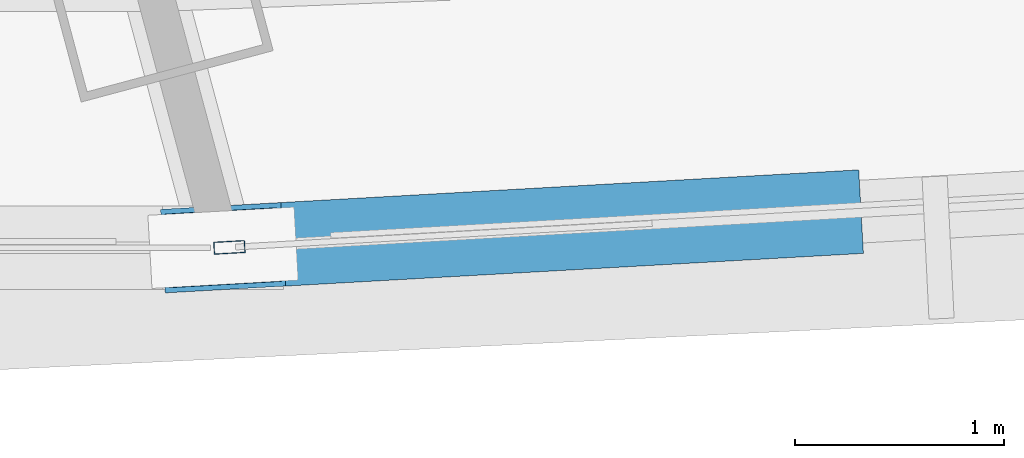
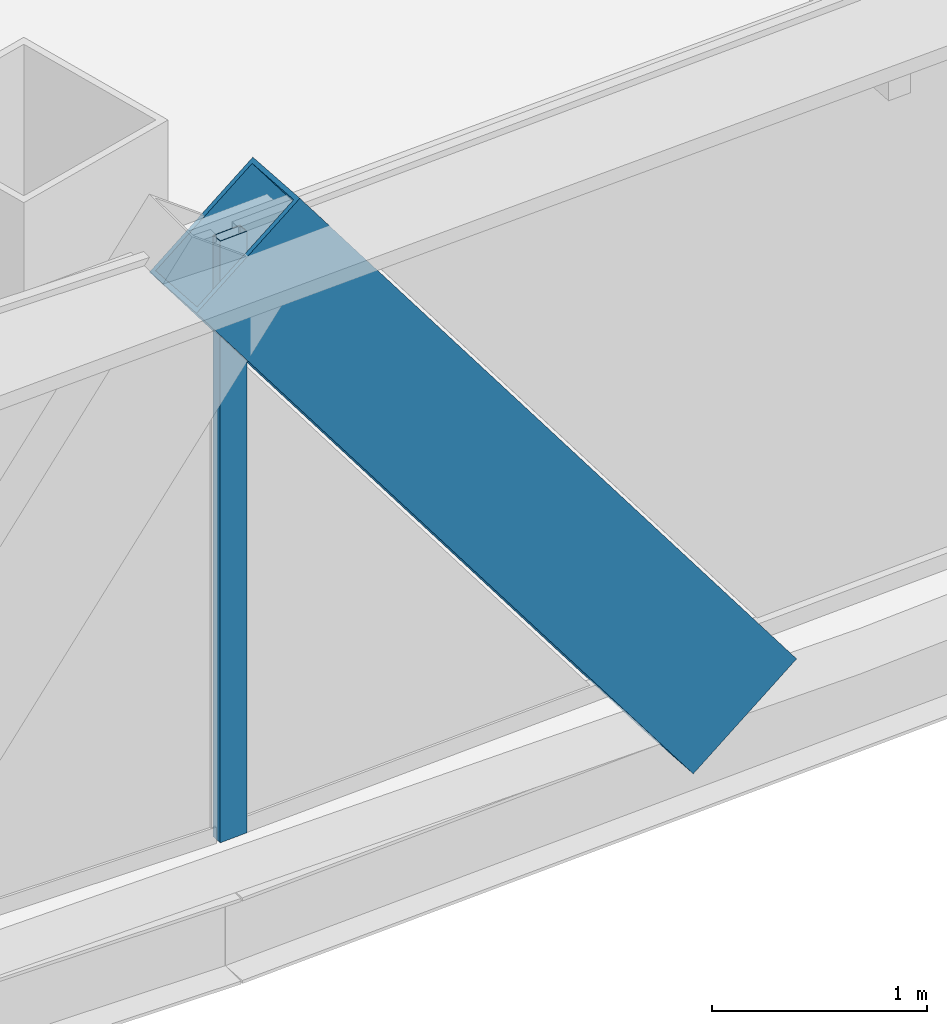
# One storey, part 12 of 41: 2 members, 1 element without a shape of its own.
"""IFC4 building model written with IfcOpenShell, lengths in metres."""

import ifcopenshell
import ifcopenshell.guid

model = None  # the IFC model being written
_history = None  # IfcOwnerHistory: only IFC2X3 demands one
_inside = {}  # id of a spatial element -> (the spatial element, [elements in it])
_under = {}  # id of a project, library or spatial element -> (it, [spatial elements below it])
_declared = {}  # id of a project -> (the project, [libraries it declares])
_typed = {}  # id of a type object -> (the type object, [elements of that type])
_made_of = {}  # id of a material, layer set ... -> (it, [elements and type objects made of it])


def new_model(schema):
    """Start an empty IFC model of exactly this schema.

    Asked for "IFC4X3", IfcOpenShell would pick the latest addendum, in which some entities
    have other attributes; the version numbers below select the first issue.
    IFC2X3 requires an IfcOwnerHistory on every rooted entity: one is made here for all.
    """
    global model, _history
    if schema == "IFC4X3":
        model = ifcopenshell.file(schema_version=(4, 3, 0, 0))
    else:
        model = ifcopenshell.file(schema=schema)
    _inside.clear()
    _under.clear()
    _declared.clear()
    _typed.clear()
    _made_of.clear()
    _history = None
    if model.schema == "IFC2X3":
        org = make("IfcOrganization", Name="unknown")
        user = make(
            "IfcPersonAndOrganization",
            ThePerson=make("IfcPerson", FamilyName="unknown"),
            TheOrganization=org,
        )
        app = make(
            "IfcApplication",
            ApplicationDeveloper=org,
            Version="unknown",
            ApplicationFullName="unknown",
            ApplicationIdentifier="unknown",
        )
        _history = make(
            "IfcOwnerHistory",
            OwningUser=user,
            OwningApplication=app,
            ChangeAction="ADDED",
            CreationDate=0,
        )
    return model


def make(cls, **values):
    """One entity of the class cls with the attributes given. An attribute that is None is left unset."""
    return model.create_entity(
        cls, **{name: value for name, value in values.items() if value is not None}
    )


def rooted(cls, **values):
    """An entity with a GlobalId (a new one), such as an element, a storey or a relation."""
    return make(cls, GlobalId=ifcopenshell.guid.new(), OwnerHistory=_history, **values)


def si_unit(unit_type, name, prefix=None):
    """IfcSIUnit, for example si_unit("LENGTHUNIT", "METRE", prefix="MILLI")."""
    return make("IfcSIUnit", UnitType=unit_type, Prefix=prefix, Name=name)


def assignment(units):
    """IfcUnitAssignment: the units of a project."""
    return None if units is None else make("IfcUnitAssignment", Units=units)


def point(xyz):
    """IfcCartesianPoint."""
    return None if xyz is None else make("IfcCartesianPoint", Coordinates=xyz)


def direction(xyz):
    """IfcDirection."""
    return None if xyz is None else make("IfcDirection", DirectionRatios=xyz)


def frame(location, z_axis=None, x_axis=None):
    """IfcAxis2Placement3D, a coordinate frame: its origin and axes. An axis left out is left unset."""
    return make(
        "IfcAxis2Placement3D",
        Location=point(location),
        Axis=direction(z_axis),
        RefDirection=direction(x_axis),
    )


def frame_2d(location, x_axis=None):
    """IfcAxis2Placement2D, a coordinate frame in the plane: its origin and x axis."""
    return make(
        "IfcAxis2Placement2D", Location=point(location), RefDirection=direction(x_axis)
    )


def origin():
    """The frame at (0, 0, 0) with its axes left unset."""
    return frame((0.0, 0.0, 0.0))


def origin_2d():
    """The frame at (0, 0) in the plane with its x axis left unset."""
    return frame_2d((0.0, 0.0))


def place(relative_to, where):
    """IfcLocalPlacement: puts the frame where relative to a parent placement (None: the world)."""
    return make(
        "IfcLocalPlacement", PlacementRelTo=relative_to, RelativePlacement=where
    )


def context(
    kind, dimensions, precision=None, world=None, true_north=None, identifier=None
):
    """IfcGeometricRepresentationContext, for example the 3D "Model" context."""
    return make(
        "IfcGeometricRepresentationContext",
        ContextIdentifier=identifier,
        ContextType=kind,
        CoordinateSpaceDimension=dimensions,
        Precision=precision,
        WorldCoordinateSystem=world,
        TrueNorth=true_north,
    )


def subcontext(parent, identifier, kind, view, scale=None):
    """IfcGeometricRepresentationSubContext, for example "Body" below "Model"."""
    return make(
        "IfcGeometricRepresentationSubContext",
        ContextIdentifier=identifier,
        ContextType=kind,
        ParentContext=parent,
        TargetScale=scale,
        TargetView=view,
    )


def project(units=None, contexts=None):
    """IfcProject with its units and contexts."""
    return rooted(
        "IfcProject",
        Name="project",
        RepresentationContexts=contexts,
        UnitsInContext=assignment(units),
    )


def spatial(cls, under=None, at=None, **own):
    """A site, building, storey or space (cls), placed at a placement, below another one or the project."""
    s = rooted(cls, ObjectPlacement=at, **own)
    if under is not None:
        _under.setdefault(under.id(), (under, []))[1].append(s)
    return s


def profile(cls, at=None, kind="AREA", **sizes):
    """A parametric profile (cls). Its sizes go by their IFC names, for example OverallWidth=200.0."""
    return make(cls, ProfileType=kind, Position=at, **sizes)


def hollow_rectangle(**sizes):
    """IfcRectangleHollowProfileDef."""
    return profile("IfcRectangleHollowProfileDef", **sizes)


def extrude(swept, where, along, depth):
    """IfcExtrudedAreaSolid: the profile swept, set in the frame where, extruded along a direction by depth."""
    return make(
        "IfcExtrudedAreaSolid",
        SweptArea=swept,
        Position=where,
        ExtrudedDirection=direction(along),
        Depth=depth,
    )


def shape(context_of_items, identifier, shape_type, items):
    """IfcShapeRepresentation: the items that make up one representation, for example the "Body"."""
    return make(
        "IfcShapeRepresentation",
        ContextOfItems=context_of_items,
        RepresentationIdentifier=identifier,
        RepresentationType=shape_type,
        Items=items,
    )


def source(mapping_origin, context_of_items, identifier, shape_type, items):
    """IfcRepresentationMap: a shape defined once, which mapped items show again and again."""
    return make(
        "IfcRepresentationMap",
        MappingOrigin=mapping_origin,
        MappedRepresentation=shape(context_of_items, identifier, shape_type, items),
    )


def transform(
    local_origin,
    x_axis=None,
    y_axis=None,
    z_axis=None,
    scale=None,
    scale2=None,
    scale3=None,
    uniform=True,
):
    """IfcCartesianTransformationOperator3D, or its non-uniform kind. x_axis, y_axis, z_axis: its Axis1, 2, 3."""
    if uniform:
        return make(
            "IfcCartesianTransformationOperator3D",
            Axis1=direction(x_axis),
            Axis2=direction(y_axis),
            LocalOrigin=point(local_origin),
            Scale=scale,
            Axis3=direction(z_axis),
        )
    return make(
        "IfcCartesianTransformationOperator3DnonUniform",
        Axis1=direction(x_axis),
        Axis2=direction(y_axis),
        LocalOrigin=point(local_origin),
        Scale=scale,
        Axis3=direction(z_axis),
        Scale2=scale2,
        Scale3=scale3,
    )


def mapped(mapping_source, mapping_target):
    """IfcMappedItem: shows the shape of a source again, moved by a transform."""
    return make(
        "IfcMappedItem", MappingSource=mapping_source, MappingTarget=mapping_target
    )


def material(Name=None, Category=None):
    """IfcMaterial."""
    return make("IfcMaterial", Name=Name, Category=Category)


def layer(
    of_material, thickness, ventilated=None, Name=None, Category=None, Priority=None
):
    """IfcMaterialLayer: one layer of a wall or slab, of a material (None: an air gap)."""
    return make(
        "IfcMaterialLayer",
        Material=of_material,
        LayerThickness=thickness,
        IsVentilated=ventilated,
        Name=Name,
        Category=Category,
        Priority=Priority,
    )


def layer_set(layers, Name=None):
    """IfcMaterialLayerSet."""
    return make("IfcMaterialLayerSet", MaterialLayers=layers, LayerSetName=Name)


def material_profile(
    of_material, cross_section, Name=None, Category=None, Priority=None
):
    """IfcMaterialProfile: a cross section and its material."""
    return make(
        "IfcMaterialProfile",
        Name=Name,
        Material=of_material,
        Profile=cross_section,
        Priority=Priority,
        Category=Category,
    )


def profile_set(profiles, Name=None, composite=None):
    """IfcMaterialProfileSet."""
    return make(
        "IfcMaterialProfileSet",
        Name=Name,
        MaterialProfiles=profiles,
        CompositeProfile=composite,
    )


def made_of(thing, what):
    """Note that an element or type object is made of a material, layer set ...; save() writes the relation."""
    if what is not None:
        _made_of.setdefault(what.id(), (what, []))[1].append(thing)
    return thing


def type_object(cls, material=None, **own):
    """A type object (cls), such as IfcWallType, which elements share."""
    return made_of(rooted(cls, **own), material)


def element(
    cls,
    number,
    at=None,
    inside=None,
    cuts=None,
    type_object=None,
    material=None,
    context=None,
    identifier="Body",
    shape_type=None,
    held_by="IfcProductDefinitionShape",
    body=None,
    shapes=None,
    **own,
):
    """One element of the class cls, such as IfcWall. Its Tag is "e" and its number.

    at: its placement. inside: the storey or other place that contains it. cuts: it is an
    opening in that element (IfcRelVoidsElement). A single representation is given by context,
    identifier, shape_type and body (its items); several are given by shapes. held_by: the class
    of the entity that holds the representations. save() writes the other relations.
    """
    e = rooted(cls, Tag="e%d" % number, ObjectPlacement=at, **own)
    if body is not None:
        shapes = [shape(context, identifier, shape_type, body)]
    if shapes is not None:
        e.Representation = make(held_by, Representations=shapes)
    if inside is not None:
        _inside.setdefault(inside.id(), (inside, []))[1].append(e)
    if cuts is not None:
        rooted(
            "IfcRelVoidsElement", RelatingBuildingElement=cuts, RelatedOpeningElement=e
        )
    if type_object is not None:
        _typed.setdefault(type_object.id(), (type_object, []))[1].append(e)
    return made_of(e, material)


def aggregate(whole, parts):
    """IfcRelAggregates: a whole, such as a stair, and the parts it consists of."""
    return rooted("IfcRelAggregates", RelatingObject=whole, RelatedObjects=parts)


def save(model, path):
    """Write the relations noted so far, then the file.

    IfcRelAggregates (storeys below a building ...), IfcRelContainedInSpatialStructure (elements
    in a storey), IfcRelDefinesByType, IfcRelAssociatesMaterial and IfcRelDeclares: one each for
    every whole, place, type object, material and project.
    """
    for whole, parts in _under.values():
        aggregate(whole, parts)
    for where, things in _inside.values():
        rooted(
            "IfcRelContainedInSpatialStructure",
            RelatedElements=things,
            RelatingStructure=where,
        )
    for kind, things in _typed.values():
        rooted("IfcRelDefinesByType", RelatedObjects=things, RelatingType=kind)
    for what, things in _made_of.values():
        rooted("IfcRelAssociatesMaterial", RelatedObjects=things, RelatingMaterial=what)
    for by, libraries in _declared.values():
        rooted("IfcRelDeclares", RelatingContext=by, RelatedDefinitions=libraries)
    model.write(path)


model = new_model("IFC4")

# Units and contexts
model_context = context("Model", 3, precision=1e-05, world=origin(), true_north=direction((0.0, 1.0)))
body_context = subcontext(model_context, "Body", "Model", "MODEL_VIEW")
ifc_project = project(units=[si_unit("LENGTHUNIT", "METRE"), si_unit("AREAUNIT", "SQUARE_METRE"), si_unit("VOLUMEUNIT", "CUBIC_METRE"), si_unit("PLANEANGLEUNIT", "RADIAN"), si_unit("MASSUNIT", "GRAM", prefix="KILO"), si_unit("THERMODYNAMICTEMPERATUREUNIT", "KELVIN"), si_unit("POWERUNIT", "WATT")], contexts=[model_context])

# Site, building, storey
site_placement = place(None, origin())
site = spatial("IfcSite", under=ifc_project, at=site_placement, CompositionType="ELEMENT")
building_placement = place(site_placement, origin())
building = spatial("IfcBuilding", under=site, at=building_placement, Name="Yunzhuo Pagoda Commons", CompositionType="ELEMENT")
storey_placement = place(building_placement, frame((0.0, 0.0, 155.590087890625)))
storey = spatial("IfcBuildingStorey", under=building, at=storey_placement, Name="L39", CompositionType="ELEMENT", Elevation=155.590087890625)

# Member
ifc_material_1 = material(Name="Structural steel Q355B", Category="steel")
ifc_material_profile_1 = material_profile(ifc_material_1, hollow_rectangle(XDim=0.39990234375, YDim=0.719970703125, WallThickness=0.02392578125, at=origin_2d()), Name="Structural steel Q355B")
ifc_profile_set_1 = profile_set([ifc_material_profile_1], Name="Structural steel Q355B")
member_type_1 = type_object("IfcMemberType", Name="M-DL2 Brace BOX 720x400x24", PredefinedType="BRACE", material=ifc_profile_set_1)
shared_shape_1 = source(origin(), body_context, "Body", "SweptSolid", [
    extrude(hollow_rectangle(XDim=0.39990234375, YDim=0.719970703125, WallThickness=0.02392578125, at=origin_2d()), origin(), (0.0, 0.0, 1.0), 4.603515625),
])
member_1_placement = place(storey_placement, frame((56.18896484375, 13.60009765625, -0.260009765625), z_axis=(-0.59986640331, -0.03394169376, 0.799379921942), x_axis=(0.056491730434, -0.998403067099, 0.0)))
element("IfcMember", 1, at=member_1_placement, inside=storey, type_object=member_type_1, Name="L39 facade diamond brace F1.3L", PredefinedType="BRACE", context=body_context, shape_type="MappedRepresentation", body=[
    mapped(shared_shape_1, transform((0.0, 0.0, 0.0), scale=1.0)),
])

# Curtain wall, member
ifc_material_2 = material(Name="Anodized aluminium 6063-T6", Category="aluminium")
ifc_layer = layer(ifc_material_2, 0.14990234375)
ifc_layer_set = layer_set([ifc_layer], Name="Anodized aluminium 6063-T6")
curtain_wall_type = type_object("IfcCurtainWallType", Name="CW-MID Mid-Zone Ribbon Curtain Wall", PredefinedType="NOTDEFINED", material=ifc_layer_set)
curtain_wall_placement = place(storey_placement, origin())
curtain_wall = element("IfcCurtainWall", 2, at=curtain_wall_placement, inside=storey, type_object=curtain_wall_type, Name="L39 curtain wall CW-L39-F1B4", PredefinedType="NOTDEFINED")
ifc_material_profile_2 = material_profile(ifc_material_2, hollow_rectangle(XDim=0.06005859375, YDim=0.14990234375, WallThickness=0.00390625, at=origin_2d()), Name="Anodized aluminium 6063-T6")
ifc_profile_set_2 = profile_set([ifc_material_profile_2], Name="Anodized aluminium 6063-T6")
member_type_2 = type_object("IfcMemberType", Name="CW-MID-M Mullion RHS 150x60x4", PredefinedType="MULLION", material=ifc_profile_set_2)
shared_shape_2 = source(origin(), body_context, "Body", "SweptSolid", [
    extrude(hollow_rectangle(XDim=0.06005859375, YDim=0.14990234375, WallThickness=0.00390625, at=origin_2d()), origin(), (0.0, 0.0, 1.0), 3.419921875),
])
member_2_placement = place(storey_placement, frame((53.457763671875, 13.445556640625, 0.0), z_axis=(0.0, 0.0, 1.0), x_axis=(-0.056459249567, 0.998404904404, 0.0)))
member_2 = element("IfcMember", 3, at=member_2_placement, type_object=member_type_2, Name="CW mullion 1", PredefinedType="MULLION", context=body_context, shape_type="MappedRepresentation", body=[
    mapped(shared_shape_2, transform((0.0, 0.0, 0.0), scale=1.0)),
])
aggregate(curtain_wall, [member_2])

save(model, "model.ifc")
